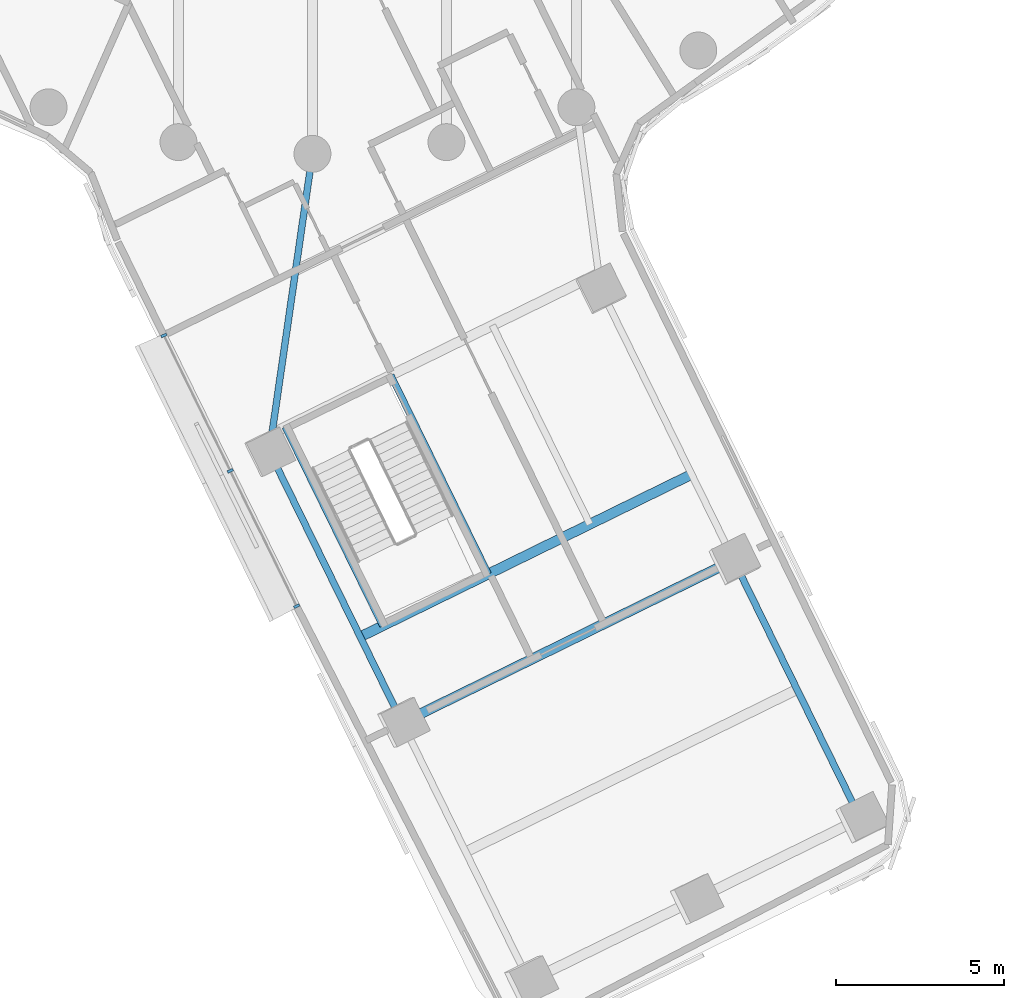
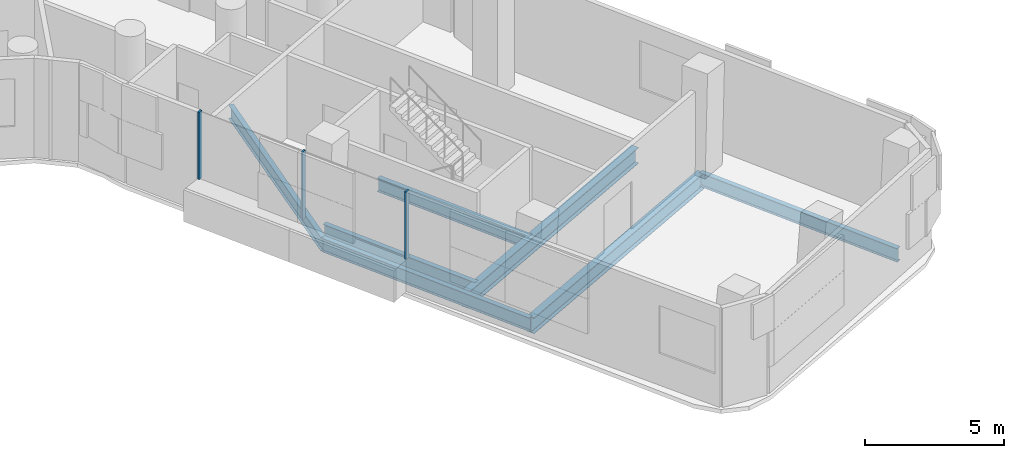
# One storey, part 2 of 23: 7 beams, 3 members, 1 element without a shape of its own.
"""IFC4 building model written with IfcOpenShell, lengths in metres."""

from ifc_helpers import new_model, si_unit, direction, frame, origin, origin_2d, place, context, subcontext, project, spatial, rectangle, i_section, extrude, material, layer, layer_set, material_profile, profile_set, type_object, element, aggregate, save


model = new_model("IFC4")

# Units and contexts
model_context = context("Model", 3, precision=1e-05, world=origin(), true_north=direction((0.0, 1.0)))
body_context = subcontext(model_context, "Body", "Model", "MODEL_VIEW")
ifc_project = project(units=[si_unit("LENGTHUNIT", "METRE"), si_unit("AREAUNIT", "SQUARE_METRE"), si_unit("VOLUMEUNIT", "CUBIC_METRE"), si_unit("PLANEANGLEUNIT", "RADIAN"), si_unit("MASSUNIT", "GRAM", prefix="KILO")], contexts=[model_context])

# Site, building, storey
site_placement = place(None, origin())
site = spatial("IfcSite", under=ifc_project, at=site_placement, CompositionType="ELEMENT")
building_placement = place(site_placement, origin())
building = spatial("IfcBuilding", under=site, at=building_placement, Name="Tamarind Cross Interchange Tower", CompositionType="ELEMENT")
storey_placement = place(building_placement, frame((0.0, 0.0, 128.5)))
storey = spatial("IfcBuildingStorey", under=building, at=storey_placement, Name="L31", CompositionType="ELEMENT", Elevation=128.5)

# Beams
ifc_material_1 = material(Name="Steel Q355B", Category="steel")
ifc_material_profile_1 = material_profile(ifc_material_1, i_section(OverallWidth=0.199951171875, OverallDepth=0.60009765625, WebThickness=0.010986328125, FlangeThickness=0.01708984375, FilletRadius=0.012939453125, at=origin_2d()), Name="HN 600x200x11x17")
ifc_profile_set_1 = profile_set([ifc_material_profile_1], Name="Steel Q355B")
beam_type_1 = type_object("IfcBeamType", Name="Composite beam HN 600x200x11x17 Q355B", PredefinedType="BEAM", material=ifc_profile_set_1)
beam_1_placement = place(storey_placement, frame((2.677978515625, -39.95458984375, -0.47998046875), z_axis=(-0.440244700893, 0.897877833191, 0.0), x_axis=(-0.897877833191, -0.440244700893, 0.0)))
element("IfcBeam", 1, at=beam_1_placement, inside=storey, type_object=beam_type_1, Name="Beam S-edgeem6", PredefinedType="BEAM", context=body_context, shape_type="SweptSolid", body=[
    extrude(i_section(OverallWidth=0.199951171875, OverallDepth=0.60009765625, WebThickness=0.010986328125, FlangeThickness=0.01708984375, FilletRadius=0.012939453125, at=origin_2d()), origin(), (0.0, 0.0, 1.0), 9.0),
])
beam_2_placement = place(storey_placement, frame((16.332275390625, -42.816162109375, -0.47998046875), z_axis=(-0.440246276802, 0.897877060494, 0.0), x_axis=(-0.897877060494, -0.440246276802, 0.0)))
element("IfcBeam", 2, at=beam_2_placement, inside=storey, type_object=beam_type_1, Name="Beam S-edgeep2", PredefinedType="BEAM", context=body_context, shape_type="SweptSolid", body=[
    extrude(i_section(OverallWidth=0.199951171875, OverallDepth=0.60009765625, WebThickness=0.010986328125, FlangeThickness=0.01708984375, FilletRadius=0.012939453125, at=origin_2d()), origin(), (0.0, 0.0, 1.0), 8.58056640625),
])
beam_3_placement = place(storey_placement, frame((-1.2841796875, -31.873779296875, -0.47998046875), z_axis=(0.14322422203, 0.989690265802, 0.0), x_axis=(-0.989690265802, 0.14322422203, 0.0)))
element("IfcBeam", 3, at=beam_3_placement, inside=storey, type_object=beam_type_1, Name="Beam S-linkem", PredefinedType="BEAM", context=body_context, shape_type="SweptSolid", body=[
    extrude(i_section(OverallWidth=0.199951171875, OverallDepth=0.60009765625, WebThickness=0.010986328125, FlangeThickness=0.01708984375, FilletRadius=0.012939453125, at=origin_2d()), origin(), (0.0, 0.0, 1.0), 8.96630859375),
])
for number, where, z_axis, x_axis, name in (
    (4, (-0.808837890625, -31.139404296875, -0.47998046875), (0.44023089958, -0.897884600077, 0.0), (0.897884600077, 0.44023089958, 0.0), "Beam S-tr0"),
    (5, (2.333740234375, -29.5986328125, -0.47998046875), (0.44023089958, -0.897884600077, 0.0), (0.897884600077, 0.44023089958, 0.0), "Beam S-tr1"),
):
    element("IfcBeam", number, at=place(storey_placement, frame(where, z_axis=z_axis, x_axis=x_axis)), inside=storey, type_object=beam_type_1, Name=name, PredefinedType="BEAM", context=body_context, shape_type="SweptSolid", body=[
        extrude(i_section(OverallWidth=0.199951171875, OverallDepth=0.60009765625, WebThickness=0.010986328125, FlangeThickness=0.01708984375, FilletRadius=0.012939453125, at=origin_2d()), origin(), (0.0, 0.0, 1.0), 6.60009765625),
    ])
ifc_material_profile_2 = material_profile(ifc_material_1, i_section(OverallWidth=0.300048828125, OverallDepth=0.699951171875, WebThickness=0.012939453125, FlangeThickness=0.02392578125, FilletRadius=0.01806640625, at=origin_2d()), Name="HN 700x300x13x24")
ifc_profile_set_2 = profile_set([ifc_material_profile_2], Name="Steel Q355B")
beam_type_2 = type_object("IfcBeamType", Name="Composite beam HN 700x300x13x24 Q355B", PredefinedType="BEAM", material=ifc_profile_set_2)
for number, where, z_axis, x_axis, name in (
    (6, (1.42333984375, -37.395751953125, -0.530029296875), (0.897875826959, 0.440248792574, 0.0), (-0.440248792574, 0.897875826959, 0.0), "Beam S-x364"),
    (7, (2.677978515625, -39.95458984375, -0.530029296875), (0.897875826959, 0.440248792574, 0.0), (-0.440248792574, 0.897875826959, 0.0), "Beam S-x393"),
):
    element("IfcBeam", number, at=place(storey_placement, frame(where, z_axis=z_axis, x_axis=x_axis)), inside=storey, type_object=beam_type_2, Name=name, PredefinedType="BEAM", context=body_context, shape_type="SweptSolid", body=[
        extrude(i_section(OverallWidth=0.300048828125, OverallDepth=0.699951171875, WebThickness=0.012939453125, FlangeThickness=0.02392578125, FilletRadius=0.01806640625, at=origin_2d()), origin(), (0.0, 0.0, 1.0), 11.0),
    ])

# Curtain wall, members
ifc_material_2 = material(Name="Aluminium 6063-T6", Category="aluminium")
ifc_layer = layer(ifc_material_2, 0.179931640625)
ifc_layer_set = layer_set([ifc_layer], Name="Aluminium 6063-T6")
curtain_wall_type = type_object("IfcCurtainWallType", Name="Sky lobby curtain wall, fire-resisting glazing", PredefinedType="NOTDEFINED", material=ifc_layer_set)
curtain_wall_placement = place(storey_placement, origin())
curtain_wall = element("IfcCurtainWall", 8, at=curtain_wall_placement, inside=storey, type_object=curtain_wall_type, Name="CWS-L31-03", PredefinedType="NOTDEFINED")
ifc_material_profile_3 = material_profile(ifc_material_2, rectangle(XDim=0.080078125, YDim=0.179931640625, at=origin_2d()), Name="Mullion CW4")
ifc_profile_set_3 = profile_set([ifc_material_profile_3], Name="Aluminium 6063-T6")
member_type = type_object("IfcMemberType", Name="Mullion CW4", PredefinedType="MULLION", material=ifc_profile_set_3)
member_1_placement = place(storey_placement, frame((-4.428955078125, -28.412841796875, 1.39990234375), z_axis=(0.0, 0.0, 1.0), x_axis=(0.440252613806, -0.897873953312, 0.0)))
member_1 = element("IfcMember", 9, at=member_1_placement, type_object=member_type, Name="CWM-L31-03-01", PredefinedType="MULLION", context=body_context, shape_type="SweptSolid", body=[
    extrude(rectangle(XDim=0.080078125, YDim=0.179931640625, at=origin_2d()), origin(), (0.0, 0.0, 1.0), 2.960205078125),
])
member_2_placement = place(storey_placement, frame((-2.451171875, -32.44677734375, 1.39990234375), z_axis=(0.0, 0.0, 1.0), x_axis=(0.440252613806, -0.897873953312, 0.0)))
member_2 = element("IfcMember", 10, at=member_2_placement, type_object=member_type, Name="CWM-L31-03-02", PredefinedType="MULLION", context=body_context, shape_type="SweptSolid", body=[
    extrude(rectangle(XDim=0.080078125, YDim=0.179931640625, at=origin_2d()), origin(), (0.0, 0.0, 1.0), 2.960205078125),
])
member_3_placement = place(storey_placement, frame((-0.47314453125, -36.48095703125, 1.39990234375), z_axis=(0.0, 0.0, 1.0), x_axis=(0.440252613806, -0.897873953312, 0.0)))
member_3 = element("IfcMember", 11, at=member_3_placement, type_object=member_type, Name="CWM-L31-03-03", PredefinedType="MULLION", context=body_context, shape_type="SweptSolid", body=[
    extrude(rectangle(XDim=0.080078125, YDim=0.179931640625, at=origin_2d()), origin(), (0.0, 0.0, 1.0), 2.960205078125),
])
aggregate(curtain_wall, [member_1, member_2, member_3])

save(model, "model.ifc")
